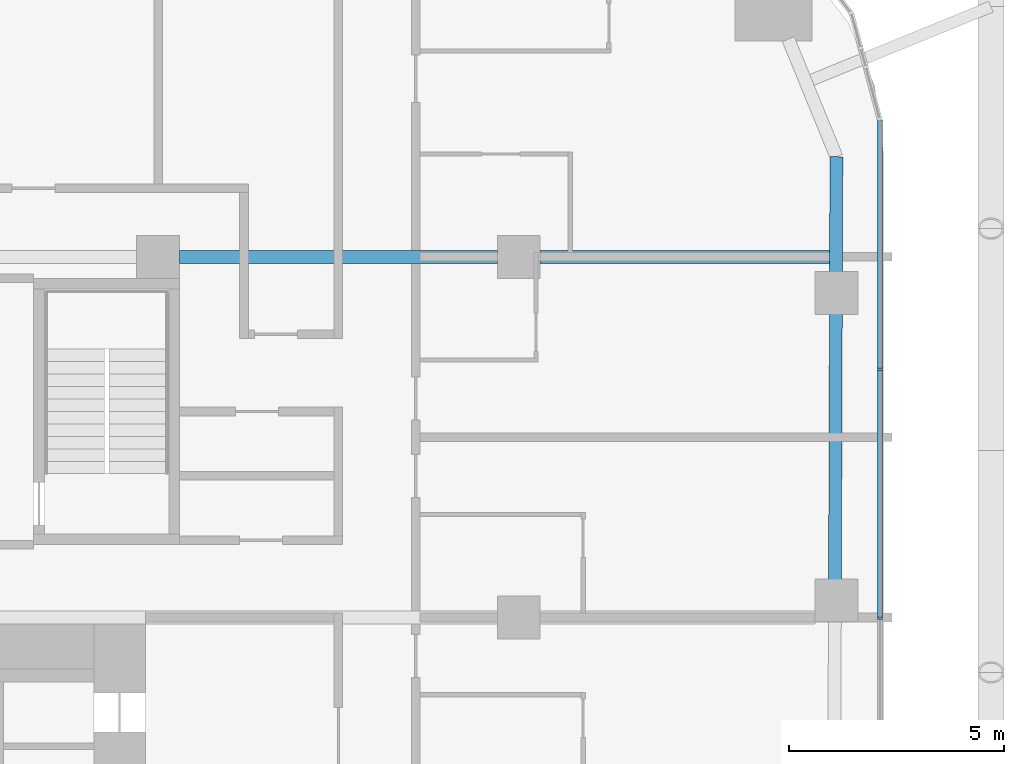
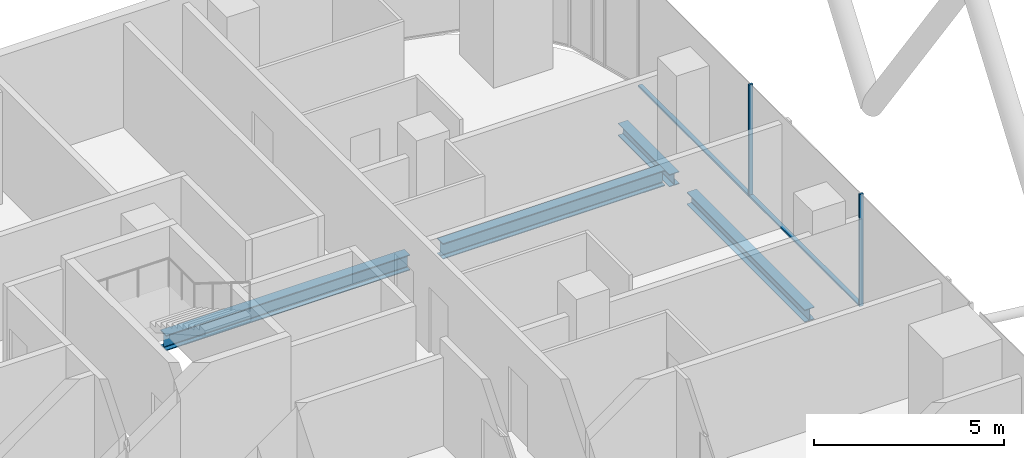
# One storey, part 12 of 38: 4 beams, 4 members, 1 element without a shape of its own.
"""IFC4 building model written with IfcOpenShell, lengths in metres."""

from ifc_helpers import new_model, si_unit, direction, frame, origin, origin_2d, place, context, subcontext, project, spatial, rectangle, i_section, extrude, material, layer, layer_set, material_profile, profile_set, type_object, element, aggregate, save


model = new_model("IFC4")

# Units and contexts
model_context = context("Model", 3, precision=1e-05, world=origin(), true_north=direction((0.0, 1.0)))
body_context = subcontext(model_context, "Body", "Model", "MODEL_VIEW")
ifc_project = project(units=[si_unit("LENGTHUNIT", "METRE"), si_unit("AREAUNIT", "SQUARE_METRE"), si_unit("VOLUMEUNIT", "CUBIC_METRE"), si_unit("PLANEANGLEUNIT", "RADIAN"), si_unit("MASSUNIT", "GRAM", prefix="KILO")], contexts=[model_context])

# Site, building, storey
site_placement = place(None, origin())
site = spatial("IfcSite", under=ifc_project, at=site_placement, CompositionType="ELEMENT")
building_placement = place(site_placement, origin())
building = spatial("IfcBuilding", under=site, at=building_placement, Name="Marenta Gate Hotel Tower", CompositionType="ELEMENT")
storey_placement = place(building_placement, frame((0.0, 0.0, 68.89990234375)))
storey = spatial("IfcBuildingStorey", under=building, at=storey_placement, Name="L15", CompositionType="ELEMENT", Elevation=68.89990234375)

# Beams
ifc_material_1 = material(Name="Steel S355", Category="steel")
ifc_material_profile_1 = material_profile(ifc_material_1, i_section(OverallWidth=0.300048828125, OverallDepth=0.39990234375, WebThickness=0.013427734375, FlangeThickness=0.02392578125, FilletRadius=0.027099609375, at=origin_2d()), Name="HEB 400")
ifc_profile_set_1 = profile_set([ifc_material_profile_1], Name="Steel S355")
beam_type_1 = type_object("IfcBeamType", Name="Edge beam HEB 400", PredefinedType="SPANDREL", material=ifc_profile_set_1)
beam_1_placement = place(storey_placement, frame((28.39990234375, 27.534423828125, -0.4599609375), z_axis=(-0.003323434444, -0.999994477376, 0.0), x_axis=(0.999994477376, -0.003323434444, 0.0)))
element("IfcBeam", 1, at=beam_1_placement, inside=storey, type_object=beam_type_1, Name="L15-EB-22", PredefinedType="SPANDREL", context=body_context, shape_type="SweptSolid", body=[
    extrude(i_section(OverallWidth=0.300048828125, OverallDepth=0.39990234375, WebThickness=0.013427734375, FlangeThickness=0.02392578125, FilletRadius=0.027099609375, at=origin_2d()), origin(), (0.0, 0.0, 1.0), 2.718017578125),
])
beam_2_placement = place(storey_placement, frame((28.387939453125, 23.896484375, -0.4599609375), z_axis=(-0.003329137121, -0.999994458408, 0.0), x_axis=(0.999994458408, -0.003329137121, 0.0)))
element("IfcBeam", 2, at=beam_2_placement, inside=storey, type_object=beam_type_1, Name="L15-EB-23", PredefinedType="SPANDREL", context=body_context, shape_type="SweptSolid", body=[
    extrude(i_section(OverallWidth=0.300048828125, OverallDepth=0.39990234375, WebThickness=0.013427734375, FlangeThickness=0.02392578125, FilletRadius=0.027099609375, at=origin_2d()), origin(), (0.0, 0.0, 1.0), 6.2333984375),
])
ifc_material_2 = material(Name="Steel S355", Category="steel")
ifc_material_profile_2 = material_profile(ifc_material_2, i_section(OverallWidth=0.300048828125, OverallDepth=0.5, WebThickness=0.014404296875, FlangeThickness=0.028076171875, FilletRadius=0.027099609375, at=origin_2d()), Name="HEB 500")
ifc_profile_set_2 = profile_set([ifc_material_profile_2], Name="Steel S355")
beam_type_2 = type_object("IfcBeamType", Name="Girder HEB 500", PredefinedType="BEAM", material=ifc_profile_set_2)
beam_3_placement = place(storey_placement, frame((13.10009765625, 25.199951171875, -0.510009765625), z_axis=(1.0, 0.0, 0.0), x_axis=(0.0, 1.0, 0.0)))
element("IfcBeam", 3, at=beam_3_placement, inside=storey, type_object=beam_type_2, Name="L15-GD-27", PredefinedType="BEAM", context=body_context, shape_type="SweptSolid", body=[
    extrude(i_section(OverallWidth=0.300048828125, OverallDepth=0.5, WebThickness=0.014404296875, FlangeThickness=0.028076171875, FilletRadius=0.027099609375, at=origin_2d()), origin(), (0.0, 0.0, 1.0), 7.39990234375),
])
beam_4_placement = place(storey_placement, frame((21.5, 25.199951171875, -0.510009765625), z_axis=(1.0, 0.0, 0.0), x_axis=(0.0, 1.0, 0.0)))
element("IfcBeam", 4, at=beam_4_placement, inside=storey, type_object=beam_type_2, Name="L15-GD-28", PredefinedType="BEAM", context=body_context, shape_type="SweptSolid", body=[
    extrude(i_section(OverallWidth=0.300048828125, OverallDepth=0.5, WebThickness=0.014404296875, FlangeThickness=0.028076171875, FilletRadius=0.027099609375, at=origin_2d()), origin(), (0.0, 0.0, 1.0), 6.7421875),
])

# Curtain wall, members
ifc_material_3 = material(Name="Tinted insulated glass in bronze anodised frame", Category="glass")
ifc_layer = layer(ifc_material_3, 0.1201171875)
ifc_layer_set = layer_set([ifc_layer], Name="Tinted insulated glass in bronze anodised frame")
curtain_wall_type = type_object("IfcCurtainWallType", Name="Tower unitised curtain wall CW1", PredefinedType="NOTDEFINED", material=ifc_layer_set)
curtain_wall_placement = place(storey_placement, origin())
curtain_wall = element("IfcCurtainWall", 5, at=curtain_wall_placement, inside=storey, type_object=curtain_wall_type, Name="CW1 run G34", PredefinedType="NOTDEFINED")
ifc_material_4 = material(Name="Bronze anodised aluminium", Category="aluminium")
ifc_material_profile_3 = material_profile(ifc_material_4, rectangle(XDim=0.1201171875, YDim=0.06005859375, at=origin_2d()), Name="Mullion CW1 60x120 bronze anodised aluminium")
ifc_profile_set_3 = profile_set([ifc_material_profile_3], Name="Bronze anodised aluminium")
member_type_1 = type_object("IfcMemberType", Name="Mullion CW1 60x120 bronze anodised aluminium", PredefinedType="MULLION", material=ifc_profile_set_3)
member_1_placement = place(storey_placement, frame((29.4140625, 16.78076171875, 0.0), z_axis=(0.0, 0.0, 1.0), x_axis=(-1.0, 0.0, 0.0)))
member_1 = element("IfcMember", 6, at=member_1_placement, type_object=member_type_1, Name="CW1 mullion 2", PredefinedType="MULLION", context=body_context, shape_type="SweptSolid", body=[
    extrude(rectangle(XDim=0.1201171875, YDim=0.06005859375, at=origin_2d()), origin(), (0.0, 0.0, 1.0), 3.60009765625),
])
member_2_placement = place(storey_placement, frame((29.4140625, 22.58642578125, 0.0), z_axis=(0.0, 0.0, 1.0), x_axis=(-1.0, 0.0, 0.0)))
member_2 = element("IfcMember", 7, at=member_2_placement, type_object=member_type_1, Name="CW1 mullion 3", PredefinedType="MULLION", context=body_context, shape_type="SweptSolid", body=[
    extrude(rectangle(XDim=0.1201171875, YDim=0.06005859375, at=origin_2d()), origin(), (0.0, 0.0, 1.0), 3.60009765625),
])
ifc_material_5 = material(Name="Bronze anodised aluminium", Category="aluminium")
ifc_material_profile_4 = material_profile(ifc_material_5, rectangle(XDim=0.1201171875, YDim=0.06005859375, at=origin_2d()), Name="Transom CW1 60x120 bronze anodised aluminium")
ifc_profile_set_4 = profile_set([ifc_material_profile_4], Name="Bronze anodised aluminium")
member_type_2 = type_object("IfcMemberType", Name="Transom CW1 60x120 bronze anodised aluminium", PredefinedType="USERDEFINED", material=ifc_profile_set_4)
member_3_placement = place(storey_placement, frame((29.4140625, 16.810791015625, 0.030029296875), z_axis=(0.0, 1.0, 0.0), x_axis=(-1.0, 0.0, 0.0)))
member_3 = element("IfcMember", 8, at=member_3_placement, type_object=member_type_2, Name="CW1 transom 2.1", ObjectType="TRANSOM", PredefinedType="USERDEFINED", context=body_context, shape_type="SweptSolid", body=[
    extrude(rectangle(XDim=0.1201171875, YDim=0.06005859375, at=origin_2d()), origin(), (0.0, 0.0, 1.0), 5.74560546875),
])
member_4_placement = place(storey_placement, frame((29.4140625, 22.616455078125, 0.030029296875), z_axis=(0.0, 1.0, 0.0), x_axis=(-1.0, 0.0, 0.0)))
member_4 = element("IfcMember", 9, at=member_4_placement, type_object=member_type_2, Name="CW1 transom 3.1", ObjectType="TRANSOM", PredefinedType="USERDEFINED", context=body_context, shape_type="SweptSolid", body=[
    extrude(rectangle(XDim=0.1201171875, YDim=0.06005859375, at=origin_2d()), origin(), (0.0, 0.0, 1.0), 5.775390625),
])
aggregate(curtain_wall, [member_1, member_2, member_3, member_4])

save(model, "model.ifc")
